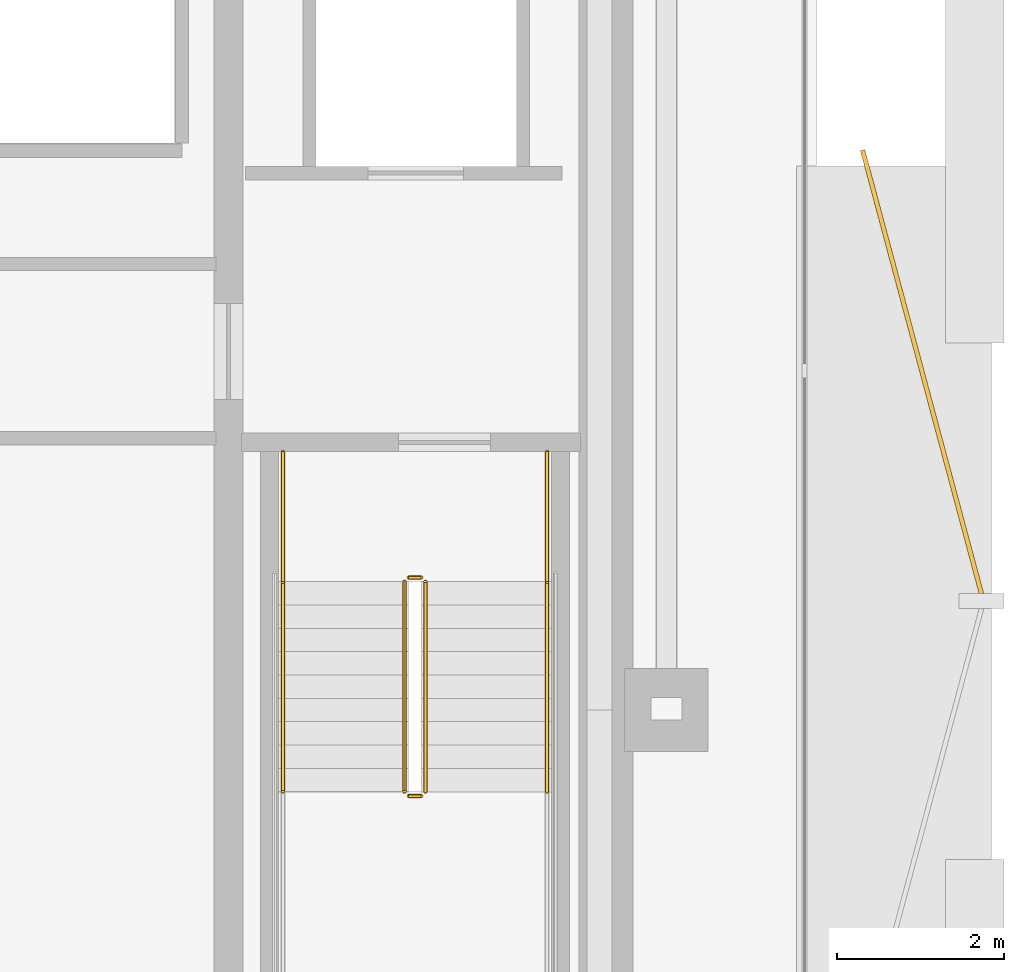
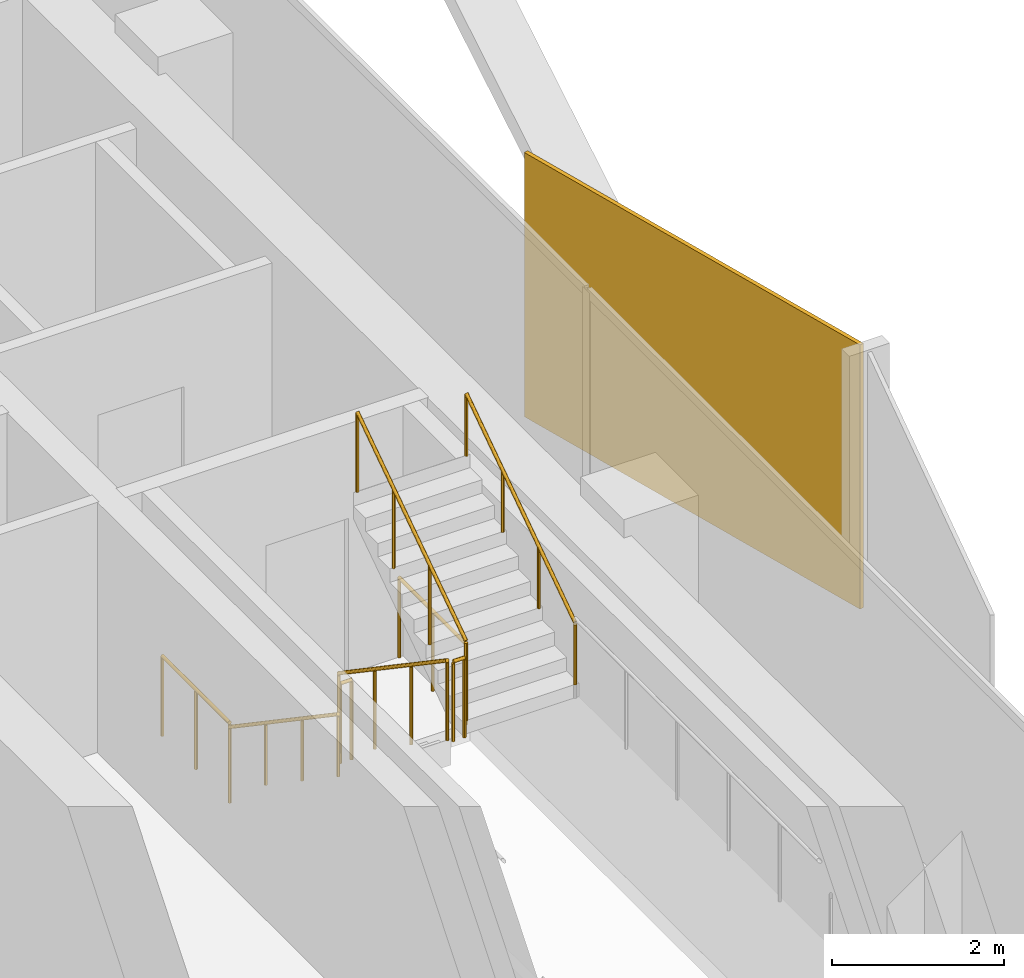
# One storey, part 15 of 17: 8 railings, 1 covering.
"""IFC4 building model written with IfcOpenShell, lengths in metres."""

from ifc_helpers import new_model, si_unit, direction, frame, origin, origin_2d, place, context, subcontext, project, spatial, rectangle, circle, extrude, material, layer, layer_set, type_object, element, save


model = new_model("IFC4")

# Units and contexts
model_context = context("Model", 3, precision=1e-05, world=origin(), true_north=direction((0.0, 1.0)))
body_context = subcontext(model_context, "Body", "Model", "MODEL_VIEW")
ifc_project = project(units=[si_unit("LENGTHUNIT", "METRE"), si_unit("AREAUNIT", "SQUARE_METRE"), si_unit("VOLUMEUNIT", "CUBIC_METRE"), si_unit("PLANEANGLEUNIT", "RADIAN"), si_unit("MASSUNIT", "GRAM", prefix="KILO")], contexts=[model_context])

# Site, building, storey
site_placement = place(None, origin())
site = spatial("IfcSite", under=ifc_project, at=site_placement, CompositionType="ELEMENT")
building_placement = place(site_placement, origin())
building = spatial("IfcBuilding", under=site, at=building_placement, Name="Khairoan Windgate Tower", CompositionType="ELEMENT")
storey_placement = place(building_placement, frame((0.0, 0.0, 180.199951171875)))
storey = spatial("IfcBuildingStorey", under=building, at=storey_placement, Name="L41", CompositionType="ELEMENT", Elevation=180.199951171875)

# Covering
ifc_material_1 = material(Name="Anodised Bronze Aluminium 6063-T6", Category="aluminium")
ifc_layer = layer(ifc_material_1, 0.054931640625, Name="Anodised Bronze Aluminium 6063-T6")
ifc_layer_set = layer_set([ifc_layer], Name="Anodised Bronze Aluminium 6063-T6")
covering_type = type_object("IfcCoveringType", Name="Perforated Bronze-Ceramic Folded Solar Screen Cladding BSC-1", PredefinedType="CLADDING", material=ifc_layer_set)
covering_placement = place(storey_placement, frame((23.8671875, -6.74560546875, -0.10009765625), z_axis=(0.0, 0.0, 1.0), x_axis=(0.258819045103, -0.965925826289, 0.0)))
element("IfcCovering", 1, at=covering_placement, inside=storey, type_object=covering_type, Name="L41 Folded Bronze Solar Screen Facet 272L", PredefinedType="CLADDING", context=body_context, shape_type="SweptSolid", body=[
    extrude(rectangle(XDim=5.507080078125, YDim=0.054931640625, at=origin_2d()), origin(), (0.0, 0.0, 1.0), 3.739990234375),
])

# Railings
ifc_material_2 = material(Name="Anodised Bronze Aluminium 6063-T6", Category="aluminium")
railing_type_1 = type_object("IfcRailingType", Name="Stair Wall Handrail SHR-900", PredefinedType="HANDRAIL", material=ifc_material_2)
railing_1_placement = place(storey_placement, frame((16.199951171875, -9.260009765625, 0.18994140625)))
element("IfcRailing", 2, at=railing_1_placement, inside=storey, type_object=railing_type_1, Name="L41 ST1 stair handrail 1", PredefinedType="HANDRAIL", context=body_context, shape_type="SweptSolid", body=[
    extrude(circle(Radius=0.02392578125, at=origin_2d()), frame((0.0, 0.0, 0.8759765625), z_axis=(0.0, -0.82744650838, 0.561544544778), x_axis=(1.0, 0.0, 0.0)), (0.0, 0.0, 1.0), 3.045654296875),
    extrude(circle(Radius=0.02099609375, at=origin_2d()), origin(), (0.0, 0.0, 1.0), 0.851806640625),
    extrude(circle(Radius=0.02099609375, at=origin_2d()), frame((0.0, -0.840087890625, 0.570068359375)), (0.0, 0.0, 1.0), 0.851806640625),
    extrude(circle(Radius=0.02099609375, at=origin_2d()), frame((0.0, -1.679931640625, 1.14013671875)), (0.0, 0.0, 1.0), 0.851806640625),
    extrude(circle(Radius=0.02099609375, at=origin_2d()), frame((0.0, -2.52001953125, 1.710205078125)), (0.0, 0.0, 1.0), 0.851806640625),
])
railing_2_placement = place(storey_placement, frame((19.3701171875, -11.780029296875, 2.090087890625)))
element("IfcRailing", 3, at=railing_2_placement, inside=storey, type_object=railing_type_1, Name="L41 ST1 stair handrail 2", PredefinedType="HANDRAIL", context=body_context, shape_type="SweptSolid", body=[
    extrude(circle(Radius=0.02392578125, at=origin_2d()), frame((0.0, 0.0, 0.8759765625), z_axis=(0.0, 0.827483756001, 0.561489655786), x_axis=(-1.0, 0.0, 0.0)), (0.0, 0.0, 1.0), 3.04541015625),
    extrude(circle(Radius=0.02099609375, at=origin_2d()), origin(), (0.0, 0.0, 1.0), 0.851806640625),
    extrude(circle(Radius=0.02099609375, at=origin_2d()), frame((0.0, 0.840087890625, 0.570068359375)), (0.0, 0.0, 1.0), 0.851806640625),
    extrude(circle(Radius=0.02099609375, at=origin_2d()), frame((0.0, 1.679931640625, 1.139892578125)), (0.0, 0.0, 1.0), 0.851806640625),
    extrude(circle(Radius=0.02099609375, at=origin_2d()), frame((0.0, 2.52001953125, 1.7099609375)), (0.0, 0.0, 1.0), 0.851806640625),
])
ifc_material_3 = material(Name="Steel S355", Category="steel")
railing_type_2 = type_object("IfcRailingType", Name="Stairwell Safety Guardrail SGR-1150", PredefinedType="GUARDRAIL", material=ifc_material_3)
railing_3_placement = place(storey_placement, frame((17.659912109375, -9.260009765625, 0.18994140625)))
element("IfcRailing", 4, at=railing_3_placement, inside=storey, type_object=railing_type_2, Name="L41 ST1 stair guard 1", PredefinedType="GUARDRAIL", context=body_context, shape_type="SweptSolid", body=[
    extrude(circle(Radius=0.02392578125, at=origin_2d()), frame((0.0, 0.0, 1.1259765625), z_axis=(0.0, -0.82744650838, 0.561544544778), x_axis=(1.0, 0.0, 0.0)), (0.0, 0.0, 1.0), 3.045654296875),
    extrude(circle(Radius=0.02099609375, at=origin_2d()), origin(), (0.0, 0.0, 1.0), 1.101806640625),
    extrude(circle(Radius=0.02099609375, at=origin_2d()), frame((0.0, -0.840087890625, 0.570068359375)), (0.0, 0.0, 1.0), 1.101806640625),
    extrude(circle(Radius=0.02099609375, at=origin_2d()), frame((0.0, -1.679931640625, 1.14013671875)), (0.0, 0.0, 1.0), 1.101806640625),
    extrude(circle(Radius=0.02099609375, at=origin_2d()), frame((0.0, -2.52001953125, 1.710205078125)), (0.0, 0.0, 1.0), 1.101806640625),
])
railing_4_placement = place(storey_placement, frame((17.7099609375, -11.830078125, 1.900146484375)))
element("IfcRailing", 5, at=railing_4_placement, inside=storey, type_object=railing_type_2, Name="L41 ST1 stair guard 2", PredefinedType="GUARDRAIL", context=body_context, shape_type="SweptSolid", body=[
    extrude(circle(Radius=0.02392578125, at=origin_2d()), frame((0.0, 0.0, 1.1259765625), z_axis=(1.0, 0.0, 0.0), x_axis=(0.0, 1.0, 0.0)), (0.0, 0.0, 1.0), 0.150146484375),
    extrude(circle(Radius=0.02099609375, at=origin_2d()), origin(), (0.0, 0.0, 1.0), 1.101806640625),
    extrude(circle(Radius=0.02099609375, at=origin_2d()), frame((0.150146484375, 0.0, 0.0)), (0.0, 0.0, 1.0), 1.101806640625),
])
railing_5_placement = place(storey_placement, frame((17.909912109375, -11.780029296875, 2.090087890625)))
element("IfcRailing", 6, at=railing_5_placement, inside=storey, type_object=railing_type_2, Name="L41 ST1 stair guard 6", PredefinedType="GUARDRAIL", context=body_context, shape_type="SweptSolid", body=[
    extrude(circle(Radius=0.02392578125, at=origin_2d()), frame((0.0, 0.0, 1.1259765625), z_axis=(0.0, 0.827483756001, 0.561489655786), x_axis=(-1.0, 0.0, 0.0)), (0.0, 0.0, 1.0), 3.04541015625),
    extrude(circle(Radius=0.02099609375, at=origin_2d()), origin(), (0.0, 0.0, 1.0), 1.101806640625),
    extrude(circle(Radius=0.02099609375, at=origin_2d()), frame((0.0, 0.840087890625, 0.570068359375)), (0.0, 0.0, 1.0), 1.101806640625),
    extrude(circle(Radius=0.02099609375, at=origin_2d()), frame((0.0, 1.679931640625, 1.139892578125)), (0.0, 0.0, 1.0), 1.101806640625),
    extrude(circle(Radius=0.02099609375, at=origin_2d()), frame((0.0, 2.52001953125, 1.7099609375)), (0.0, 0.0, 1.0), 1.101806640625),
])
railing_6_placement = place(storey_placement, frame((17.7099609375, -9.2099609375, 0.0)))
element("IfcRailing", 7, at=railing_6_placement, inside=storey, type_object=railing_type_2, Name="L41 ST1 stair guard 7", PredefinedType="GUARDRAIL", context=body_context, shape_type="SweptSolid", body=[
    extrude(circle(Radius=0.02392578125, at=origin_2d()), frame((0.0, 0.0, 1.1259765625), z_axis=(1.0, 0.0, 0.0), x_axis=(0.0, 1.0, 0.0)), (0.0, 0.0, 1.0), 0.150146484375),
    extrude(circle(Radius=0.02099609375, at=origin_2d()), origin(), (0.0, 0.0, 1.0), 1.101806640625),
    extrude(circle(Radius=0.02099609375, at=origin_2d()), frame((0.150146484375, 0.0, 0.0)), (0.0, 0.0, 1.0), 1.101806640625),
])
for number, where, name in (
    (8, (16.199951171875, -7.699951171875, 0.0), "L41 ST1 stair guard 8"),
    (9, (19.3701171875, -7.699951171875, 0.0), "L41 ST1 stair guard 9"),
):
    element("IfcRailing", number, at=place(storey_placement, frame(where)), inside=storey, type_object=railing_type_2, Name=name, PredefinedType="GUARDRAIL", context=body_context, shape_type="SweptSolid", body=[
        extrude(circle(Radius=0.02392578125, at=origin_2d()), frame((0.0, 0.0, 1.1259765625), z_axis=(0.0, -1.0, 0.0), x_axis=(1.0, 0.0, 0.0)), (0.0, 0.0, 1.0), 1.56005859375),
        extrude(circle(Radius=0.02099609375, at=origin_2d()), origin(), (0.0, 0.0, 1.0), 1.101806640625),
        extrude(circle(Radius=0.02099609375, at=origin_2d()), frame((0.0, -0.780029296875, 0.0)), (0.0, 0.0, 1.0), 1.101806640625),
        extrude(circle(Radius=0.02099609375, at=origin_2d()), frame((0.0, -1.56005859375, 0.0)), (0.0, 0.0, 1.0), 1.101806640625),
    ])

save(model, "model.ifc")
